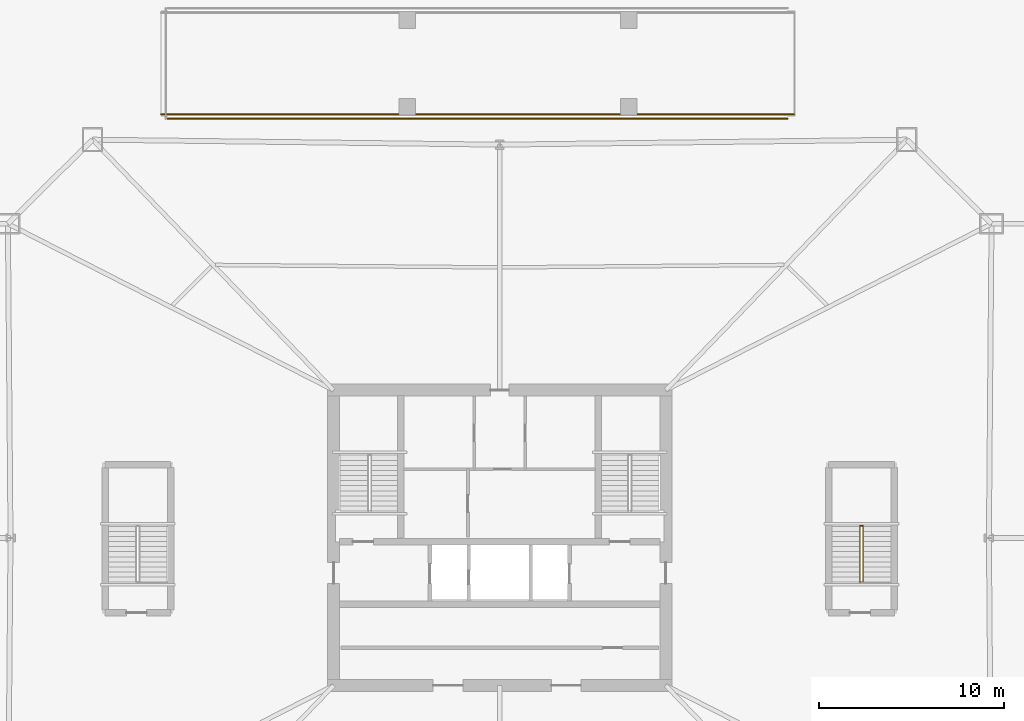
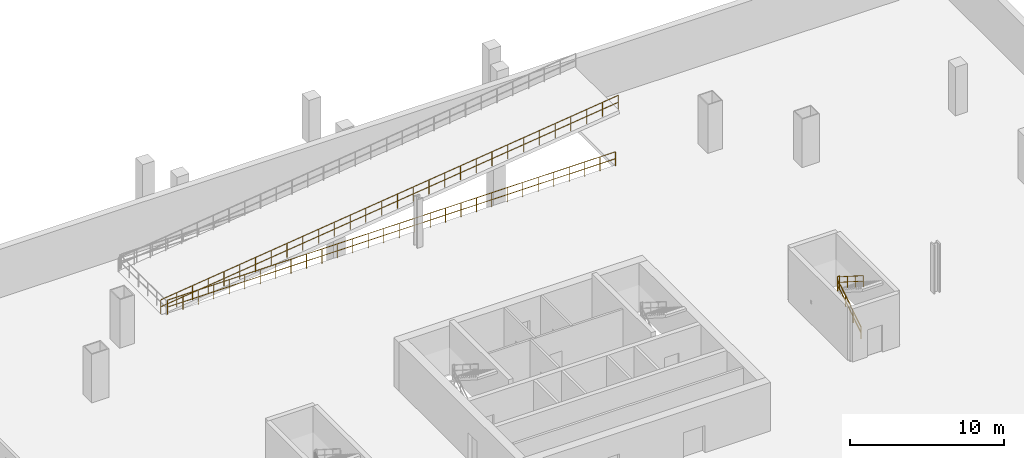
# One storey, part 8 of 9: 5 railings.
"""IFC4 building model written with IfcOpenShell, lengths in metres."""

from ifc_helpers import new_model, si_unit, direction, frame, origin, origin_2d, place, context, subcontext, project, spatial, circle, extrude, material, type_object, element, save


model = new_model("IFC4")

# Units and contexts
model_context = context("Model", 3, precision=1e-05, world=origin(), true_north=direction((0.0, 1.0)))
body_context = subcontext(model_context, "Body", "Model", "MODEL_VIEW")
ifc_project = project(units=[si_unit("LENGTHUNIT", "METRE"), si_unit("AREAUNIT", "SQUARE_METRE"), si_unit("VOLUMEUNIT", "CUBIC_METRE"), si_unit("PLANEANGLEUNIT", "RADIAN"), si_unit("MASSUNIT", "GRAM", prefix="KILO")], contexts=[model_context])

# Site, building, storey
site_placement = place(None, origin())
site = spatial("IfcSite", under=ifc_project, at=site_placement, CompositionType="ELEMENT")
building_placement = place(site_placement, origin())
building = spatial("IfcBuilding", under=site, at=building_placement, Name="Caelvoria Tower", CompositionType="ELEMENT")
storey_placement = place(building_placement, frame((0.0, 0.0, -4.199951171875)))
storey = spatial("IfcBuildingStorey", under=building, at=storey_placement, Name="B1", CompositionType="ELEMENT", Elevation=-4.199951171875)

# Railings
ifc_material_1 = material(Name="Brushed Stainless Steel Tube", Category="steel")
railing_type_1 = type_object("IfcRailingType", Name="Stair Tubular Stainless Handrail 920", PredefinedType="HANDRAIL", material=ifc_material_1)
railing_1_placement = place(storey_placement, frame((65.52001953125, 29.60009765625, 0.175048828125)))
element("IfcRailing", 1, at=railing_1_placement, inside=storey, type_object=railing_type_1, Name="ST-04 Flight 1 Handrail B1", PredefinedType="HANDRAIL", context=body_context, shape_type="SweptSolid", body=[
    extrude(circle(Radius=0.02392578125, at=origin_2d()), frame((0.0, 0.0, 0.89599609375), z_axis=(0.0, 0.843678310415, 0.536849055634), x_axis=(-1.0, 0.0, 0.0)), (0.0, 0.0, 1.0), 3.58544921875),
    extrude(circle(Radius=0.02392578125, at=origin_2d()), frame((0.0, 0.0, 0.4599609375), z_axis=(0.0, 0.843678310415, 0.536849055634), x_axis=(-1.0, 0.0, 0.0)), (0.0, 0.0, 1.0), 3.58544921875),
    extrude(circle(Radius=0.02099609375, at=origin_2d()), origin(), (0.0, 0.0, 1.0), 0.871826171875),
    extrude(circle(Radius=0.02099609375, at=origin_2d()), frame((0.0, 1.00830078125, 0.6416015625)), (0.0, 0.0, 1.0), 0.871826171875),
    extrude(circle(Radius=0.02099609375, at=origin_2d()), frame((0.0, 2.0166015625, 1.283203125)), (0.0, 0.0, 1.0), 0.871826171875),
    extrude(circle(Radius=0.02099609375, at=origin_2d()), frame((0.0, 3.02490234375, 1.9248046875)), (0.0, 0.0, 1.0), 0.871826171875),
])
railing_2_placement = place(storey_placement, frame((65.679931640625, 32.625, 2.27490234375)))
element("IfcRailing", 2, at=railing_2_placement, inside=storey, type_object=railing_type_1, Name="ST-04 Flight 2 Handrail B1", PredefinedType="HANDRAIL", context=body_context, shape_type="SweptSolid", body=[
    extrude(circle(Radius=0.02392578125, at=origin_2d()), frame((0.0, 0.0, 0.89599609375), z_axis=(0.0, -0.84364746871, 0.536897521451), x_axis=(1.0, 0.0, 0.0)), (0.0, 0.0, 1.0), 3.58544921875),
    extrude(circle(Radius=0.02392578125, at=origin_2d()), frame((0.0, 0.0, 0.4599609375), z_axis=(0.0, -0.84364746871, 0.536897521451), x_axis=(1.0, 0.0, 0.0)), (0.0, 0.0, 1.0), 3.58544921875),
    extrude(circle(Radius=0.02099609375, at=origin_2d()), origin(), (0.0, 0.0, 1.0), 0.871826171875),
    extrude(circle(Radius=0.02099609375, at=origin_2d()), frame((0.0, -1.00830078125, 0.6416015625)), (0.0, 0.0, 1.0), 0.871826171875),
    extrude(circle(Radius=0.02099609375, at=origin_2d()), frame((0.0, -2.0166015625, 1.283447265625)), (0.0, 0.0, 1.0), 0.871826171875),
    extrude(circle(Radius=0.02099609375, at=origin_2d()), frame((0.0, -3.02490234375, 1.925048828125)), (0.0, 0.0, 1.0), 0.871826171875),
])
ifc_material_2 = material(Name="Brushed Stainless Steel Guardrail", Category="steel")
railing_type_2 = type_object("IfcRailingType", Name="Stair Well and Ramp Guardrail 1120", PredefinedType="GUARDRAIL", material=ifc_material_2)
railing_3_placement = place(storey_placement, frame((65.52001953125, 32.6650390625, 2.099853515625)))
element("IfcRailing", 3, at=railing_3_placement, inside=storey, type_object=railing_type_2, Name="ST-04 Half-Landing Well Guard B1", PredefinedType="GUARDRAIL", context=body_context, shape_type="SweptSolid", body=[
    extrude(circle(Radius=0.02392578125, at=origin_2d()), frame((0.0, 0.0, 1.09619140625), z_axis=(1.0, 0.0, 0.0), x_axis=(0.0, 1.0, 0.0)), (0.0, 0.0, 1.0), 0.159912109375),
    extrude(circle(Radius=0.02392578125, at=origin_2d()), frame((0.0, 0.0, 0.56005859375), z_axis=(1.0, 0.0, 0.0), x_axis=(0.0, 1.0, 0.0)), (0.0, 0.0, 1.0), 0.159912109375),
    extrude(circle(Radius=0.02099609375, at=origin_2d()), origin(), (0.0, 0.0, 1.0), 1.072021484375),
    extrude(circle(Radius=0.02099609375, at=origin_2d()), frame((0.159912109375, 0.0, 0.0)), (0.0, 0.0, 1.0), 1.072021484375),
])
railing_4_placement = place(storey_placement, frame((28.0, 54.699951171875, 0.0)))
element("IfcRailing", 4, at=railing_4_placement, inside=storey, type_object=railing_type_2, Name="Vehicular Ramp Well Guard South B1", PredefinedType="GUARDRAIL", context=body_context, shape_type="SweptSolid", body=[
    extrude(circle(Radius=0.02392578125, at=origin_2d()), frame((0.0, 0.0, 1.1259765625), z_axis=(1.0, 0.0, 0.0), x_axis=(0.0, 1.0, 0.0)), (0.0, 0.0, 1.0), 33.60009765625),
    extrude(circle(Radius=0.02392578125, at=origin_2d()), frame((0.0, 0.0, 0.574951171875), z_axis=(1.0, 0.0, 0.0), x_axis=(0.0, 1.0, 0.0)), (0.0, 0.0, 1.0), 33.60009765625),
    extrude(circle(Radius=0.02099609375, at=origin_2d()), origin(), (0.0, 0.0, 1.0), 1.101806640625),
    extrude(circle(Radius=0.02099609375, at=origin_2d()), frame((1.15869140625, 0.0, 0.0)), (0.0, 0.0, 1.0), 1.101806640625),
    extrude(circle(Radius=0.02099609375, at=origin_2d()), frame((2.317138671875, 0.0, 0.0)), (0.0, 0.0, 1.0), 1.101806640625),
    extrude(circle(Radius=0.02099609375, at=origin_2d()), frame((3.475830078125, 0.0, 0.0)), (0.0, 0.0, 1.0), 1.101806640625),
    extrude(circle(Radius=0.02099609375, at=origin_2d()), frame((4.634521484375, 0.0, 0.0)), (0.0, 0.0, 1.0), 1.101806640625),
    extrude(circle(Radius=0.02099609375, at=origin_2d()), frame((5.793212890625, 0.0, 0.0)), (0.0, 0.0, 1.0), 1.101806640625),
    extrude(circle(Radius=0.02099609375, at=origin_2d()), frame((6.95166015625, 0.0, 0.0)), (0.0, 0.0, 1.0), 1.101806640625),
    extrude(circle(Radius=0.02099609375, at=origin_2d()), frame((8.1103515625, 0.0, 0.0)), (0.0, 0.0, 1.0), 1.101806640625),
    extrude(circle(Radius=0.02099609375, at=origin_2d()), frame((9.26904296875, 0.0, 0.0)), (0.0, 0.0, 1.0), 1.101806640625),
    extrude(circle(Radius=0.02099609375, at=origin_2d()), frame((10.427734375, 0.0, 0.0)), (0.0, 0.0, 1.0), 1.101806640625),
    extrude(circle(Radius=0.02099609375, at=origin_2d()), frame((11.586181640625, 0.0, 0.0)), (0.0, 0.0, 1.0), 1.101806640625),
    extrude(circle(Radius=0.02099609375, at=origin_2d()), frame((12.744873046875, 0.0, 0.0)), (0.0, 0.0, 1.0), 1.101806640625),
    extrude(circle(Radius=0.02099609375, at=origin_2d()), frame((13.903564453125, 0.0, 0.0)), (0.0, 0.0, 1.0), 1.101806640625),
    extrude(circle(Radius=0.02099609375, at=origin_2d()), frame((15.06201171875, 0.0, 0.0)), (0.0, 0.0, 1.0), 1.101806640625),
    extrude(circle(Radius=0.02099609375, at=origin_2d()), frame((16.220703125, 0.0, 0.0)), (0.0, 0.0, 1.0), 1.101806640625),
    extrude(circle(Radius=0.02099609375, at=origin_2d()), frame((17.37939453125, 0.0, 0.0)), (0.0, 0.0, 1.0), 1.101806640625),
    extrude(circle(Radius=0.02099609375, at=origin_2d()), frame((18.5380859375, 0.0, 0.0)), (0.0, 0.0, 1.0), 1.101806640625),
    extrude(circle(Radius=0.02099609375, at=origin_2d()), frame((19.696533203125, 0.0, 0.0)), (0.0, 0.0, 1.0), 1.101806640625),
    extrude(circle(Radius=0.02099609375, at=origin_2d()), frame((20.855224609375, 0.0, 0.0)), (0.0, 0.0, 1.0), 1.101806640625),
    extrude(circle(Radius=0.02099609375, at=origin_2d()), frame((22.013916015625, 0.0, 0.0)), (0.0, 0.0, 1.0), 1.101806640625),
    extrude(circle(Radius=0.02099609375, at=origin_2d()), frame((23.17236328125, 0.0, 0.0)), (0.0, 0.0, 1.0), 1.101806640625),
    extrude(circle(Radius=0.02099609375, at=origin_2d()), frame((24.3310546875, 0.0, 0.0)), (0.0, 0.0, 1.0), 1.101806640625),
    extrude(circle(Radius=0.02099609375, at=origin_2d()), frame((25.48974609375, 0.0, 0.0)), (0.0, 0.0, 1.0), 1.101806640625),
    extrude(circle(Radius=0.02099609375, at=origin_2d()), frame((26.6484375, 0.0, 0.0)), (0.0, 0.0, 1.0), 1.101806640625),
    extrude(circle(Radius=0.02099609375, at=origin_2d()), frame((27.806884765625, 0.0, 0.0)), (0.0, 0.0, 1.0), 1.101806640625),
    extrude(circle(Radius=0.02099609375, at=origin_2d()), frame((28.965576171875, 0.0, 0.0)), (0.0, 0.0, 1.0), 1.101806640625),
    extrude(circle(Radius=0.02099609375, at=origin_2d()), frame((30.124267578125, 0.0, 0.0)), (0.0, 0.0, 1.0), 1.101806640625),
    extrude(circle(Radius=0.02099609375, at=origin_2d()), frame((31.282958984375, 0.0, 0.0)), (0.0, 0.0, 1.0), 1.101806640625),
    extrude(circle(Radius=0.02099609375, at=origin_2d()), frame((32.44140625, 0.0, 0.0)), (0.0, 0.0, 1.0), 1.101806640625),
    extrude(circle(Radius=0.02099609375, at=origin_2d()), frame((33.60009765625, 0.0, 0.0)), (0.0, 0.0, 1.0), 1.101806640625),
])
railing_5_placement = place(storey_placement, frame((27.64990234375, 54.949951171875, 0.0)))
element("IfcRailing", 5, at=railing_5_placement, inside=storey, type_object=railing_type_2, Name="Vehicular Ramp Sloped Side Guard South B1", PredefinedType="GUARDRAIL", context=body_context, shape_type="SweptSolid", body=[
    extrude(circle(Radius=0.02392578125, at=origin_2d()), frame((0.0, 0.0, 1.1259765625), z_axis=(0.992586580033, 0.0, 0.121539627855), x_axis=(0.0, 1.0, 0.0)), (0.0, 0.0, 1.0), 34.55615234375),
    extrude(circle(Radius=0.02392578125, at=origin_2d()), frame((0.0, 0.0, 0.574951171875), z_axis=(0.992586580033, 0.0, 0.121539627855), x_axis=(0.0, 1.0, 0.0)), (0.0, 0.0, 1.0), 34.55615234375),
    extrude(circle(Radius=0.02099609375, at=origin_2d()), origin(), (0.0, 0.0, 1.0), 1.101806640625),
    extrude(circle(Radius=0.02099609375, at=origin_2d()), frame((1.182861328125, 0.0, 0.144775390625)), (0.0, 0.0, 1.0), 1.101806640625),
    extrude(circle(Radius=0.02099609375, at=origin_2d()), frame((2.365478515625, 0.0, 0.28955078125)), (0.0, 0.0, 1.0), 1.101806640625),
    extrude(circle(Radius=0.02099609375, at=origin_2d()), frame((3.54833984375, 0.0, 0.4345703125)), (0.0, 0.0, 1.0), 1.101806640625),
    extrude(circle(Radius=0.02099609375, at=origin_2d()), frame((4.73095703125, 0.0, 0.579345703125)), (0.0, 0.0, 1.0), 1.101806640625),
    extrude(circle(Radius=0.02099609375, at=origin_2d()), frame((5.913818359375, 0.0, 0.72412109375)), (0.0, 0.0, 1.0), 1.101806640625),
    extrude(circle(Radius=0.02099609375, at=origin_2d()), frame((7.0966796875, 0.0, 0.868896484375)), (0.0, 0.0, 1.0), 1.101806640625),
    extrude(circle(Radius=0.02099609375, at=origin_2d()), frame((8.279296875, 0.0, 1.013671875)), (0.0, 0.0, 1.0), 1.101806640625),
    extrude(circle(Radius=0.02099609375, at=origin_2d()), frame((9.462158203125, 0.0, 1.15869140625)), (0.0, 0.0, 1.0), 1.101806640625),
    extrude(circle(Radius=0.02099609375, at=origin_2d()), frame((10.644775390625, 0.0, 1.303466796875)), (0.0, 0.0, 1.0), 1.101806640625),
    extrude(circle(Radius=0.02099609375, at=origin_2d()), frame((11.82763671875, 0.0, 1.4482421875)), (0.0, 0.0, 1.0), 1.101806640625),
    extrude(circle(Radius=0.02099609375, at=origin_2d()), frame((13.01025390625, 0.0, 1.593017578125)), (0.0, 0.0, 1.0), 1.101806640625),
    extrude(circle(Radius=0.02099609375, at=origin_2d()), frame((14.193115234375, 0.0, 1.73779296875)), (0.0, 0.0, 1.0), 1.101806640625),
    extrude(circle(Radius=0.02099609375, at=origin_2d()), frame((15.3759765625, 0.0, 1.8828125)), (0.0, 0.0, 1.0), 1.101806640625),
    extrude(circle(Radius=0.02099609375, at=origin_2d()), frame((16.55859375, 0.0, 2.027587890625)), (0.0, 0.0, 1.0), 1.101806640625),
    extrude(circle(Radius=0.02099609375, at=origin_2d()), frame((17.741455078125, 0.0, 2.17236328125)), (0.0, 0.0, 1.0), 1.101806640625),
    extrude(circle(Radius=0.02099609375, at=origin_2d()), frame((18.924072265625, 0.0, 2.317138671875)), (0.0, 0.0, 1.0), 1.101806640625),
    extrude(circle(Radius=0.02099609375, at=origin_2d()), frame((20.10693359375, 0.0, 2.462158203125)), (0.0, 0.0, 1.0), 1.101806640625),
    extrude(circle(Radius=0.02099609375, at=origin_2d()), frame((21.289794921875, 0.0, 2.60693359375)), (0.0, 0.0, 1.0), 1.101806640625),
    extrude(circle(Radius=0.02099609375, at=origin_2d()), frame((22.472412109375, 0.0, 2.751708984375)), (0.0, 0.0, 1.0), 1.101806640625),
    extrude(circle(Radius=0.02099609375, at=origin_2d()), frame((23.6552734375, 0.0, 2.896484375)), (0.0, 0.0, 1.0), 1.101806640625),
    extrude(circle(Radius=0.02099609375, at=origin_2d()), frame((24.837890625, 0.0, 3.041259765625)), (0.0, 0.0, 1.0), 1.101806640625),
    extrude(circle(Radius=0.02099609375, at=origin_2d()), frame((26.020751953125, 0.0, 3.186279296875)), (0.0, 0.0, 1.0), 1.101806640625),
    extrude(circle(Radius=0.02099609375, at=origin_2d()), frame((27.203369140625, 0.0, 3.3310546875)), (0.0, 0.0, 1.0), 1.101806640625),
    extrude(circle(Radius=0.02099609375, at=origin_2d()), frame((28.38623046875, 0.0, 3.475830078125)), (0.0, 0.0, 1.0), 1.101806640625),
    extrude(circle(Radius=0.02099609375, at=origin_2d()), frame((29.569091796875, 0.0, 3.62060546875)), (0.0, 0.0, 1.0), 1.101806640625),
    extrude(circle(Radius=0.02099609375, at=origin_2d()), frame((30.751708984375, 0.0, 3.765380859375)), (0.0, 0.0, 1.0), 1.101806640625),
    extrude(circle(Radius=0.02099609375, at=origin_2d()), frame((31.9345703125, 0.0, 3.910400390625)), (0.0, 0.0, 1.0), 1.101806640625),
    extrude(circle(Radius=0.02099609375, at=origin_2d()), frame((33.1171875, 0.0, 4.05517578125)), (0.0, 0.0, 1.0), 1.101806640625),
    extrude(circle(Radius=0.02099609375, at=origin_2d()), frame((34.300048828125, 0.0, 4.199951171875)), (0.0, 0.0, 1.0), 1.101806640625),
])

save(model, "model.ifc")
